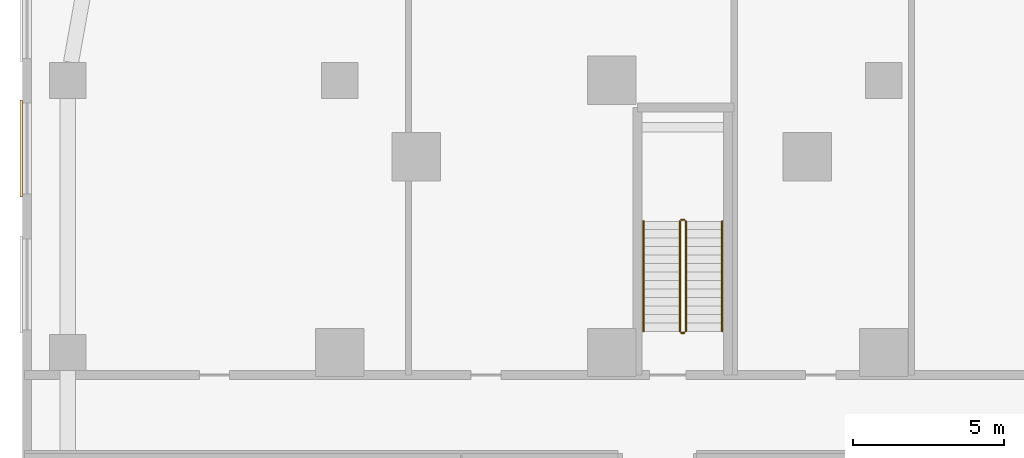
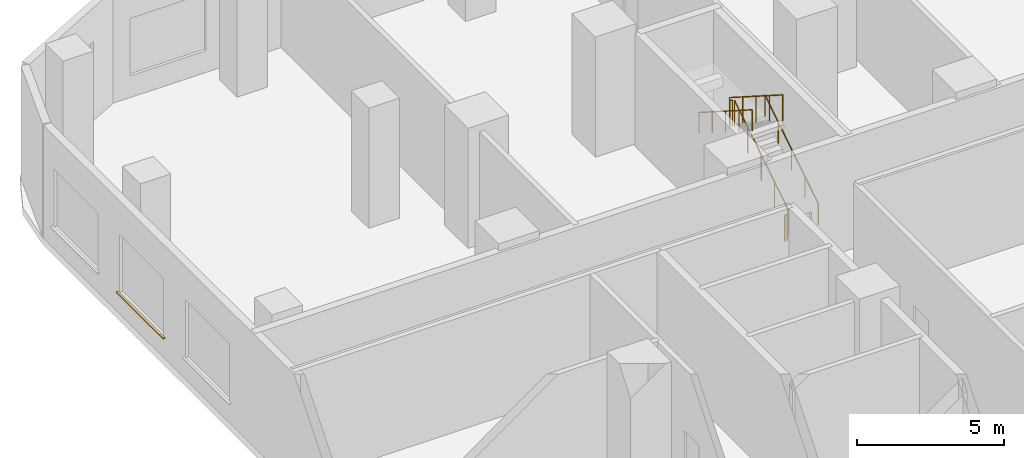
# One storey, part 28 of 35: 6 railings, 1 covering.
"""IFC4 building model written with IfcOpenShell, lengths in metres."""

from ifc_helpers import new_model, si_unit, direction, frame, origin, origin_2d, place, context, subcontext, project, spatial, rectangle, circle, extrude, material, layer, layer_set, type_object, element, save


model = new_model("IFC4")

# Units and contexts
model_context = context("Model", 3, precision=1e-05, world=origin(), true_north=direction((0.0, 1.0)))
body_context = subcontext(model_context, "Body", "Model", "MODEL_VIEW")
ifc_project = project(units=[si_unit("LENGTHUNIT", "METRE"), si_unit("AREAUNIT", "SQUARE_METRE"), si_unit("VOLUMEUNIT", "CUBIC_METRE"), si_unit("PLANEANGLEUNIT", "RADIAN"), si_unit("MASSUNIT", "GRAM", prefix="KILO")], contexts=[model_context])

# Site, building, storey
site_placement = place(None, origin())
site = spatial("IfcSite", under=ifc_project, at=site_placement, CompositionType="ELEMENT")
building_placement = place(site_placement, origin())
building = spatial("IfcBuilding", under=site, at=building_placement, Name="Ogive Portal Towers", CompositionType="ELEMENT")
storey_placement = place(building_placement, frame((0.0, 0.0, 23.5)))
storey = spatial("IfcBuildingStorey", under=building, at=storey_placement, Name="L04", CompositionType="ELEMENT", Elevation=23.5)

# Railings
ifc_material_1 = material(Name="Stainless steel balustrade", Category="steel")
railing_type_1 = type_object("IfcRailingType", Name="INT-GUARD", PredefinedType="GUARDRAIL", material=ifc_material_1)
railing_1_placement = place(storey_placement, frame((42.949951171875, 67.199951171875, 0.178466796875)))
element("IfcRailing", 1, at=railing_1_placement, inside=storey, type_object=railing_type_1, Name="L04 ST-A3 stair guard 1", PredefinedType="GUARDRAIL", context=body_context, shape_type="SweptSolid", body=[
    extrude(circle(Radius=0.02392578125, at=origin_2d()), frame((0.0, 0.0, 1.076171875), z_axis=(0.0, 0.843127859045, 0.537713132908), x_axis=(-1.0, 0.0, 0.0)), (0.0, 0.0, 1.0), 4.3173828125),
    extrude(circle(Radius=0.02099609375, at=origin_2d()), origin(), (0.0, 0.0, 1.0), 1.052001953125),
    extrude(circle(Radius=0.02099609375, at=origin_2d()), frame((0.0, 0.91015625, 0.580322265625)), (0.0, 0.0, 1.0), 1.052001953125),
    extrude(circle(Radius=0.02099609375, at=origin_2d()), frame((0.0, 1.820068359375, 1.16064453125)), (0.0, 0.0, 1.0), 1.052001953125),
    extrude(circle(Radius=0.02099609375, at=origin_2d()), frame((0.0, 2.72998046875, 1.7412109375)), (0.0, 0.0, 1.0), 1.052001953125),
    extrude(circle(Radius=0.02099609375, at=origin_2d()), frame((0.0, 3.64013671875, 2.321533203125)), (0.0, 0.0, 1.0), 1.052001953125),
])
railing_2_placement = place(storey_placement, frame((42.89990234375, 70.889892578125, 2.5)))
element("IfcRailing", 2, at=railing_2_placement, inside=storey, type_object=railing_type_1, Name="L04 ST-A3 stair guard 2", PredefinedType="GUARDRAIL", context=body_context, shape_type="SweptSolid", body=[
    extrude(circle(Radius=0.02392578125, at=origin_2d()), frame((0.0, 0.0, 1.076171875), z_axis=(-1.0, 0.0, 0.0), x_axis=(0.0, -1.0, 0.0)), (0.0, 0.0, 1.0), 0.099853515625),
    extrude(circle(Radius=0.02099609375, at=origin_2d()), origin(), (0.0, 0.0, 1.0), 1.052001953125),
    extrude(circle(Radius=0.02099609375, at=origin_2d()), frame((-0.099853515625, 0.0, 0.0)), (0.0, 0.0, 1.0), 1.052001953125),
])
railing_3_placement = place(storey_placement, frame((42.75, 70.840087890625, 2.678466796875)))
element("IfcRailing", 3, at=railing_3_placement, inside=storey, type_object=railing_type_1, Name="L04 ST-A3 stair guard 3", PredefinedType="GUARDRAIL", context=body_context, shape_type="SweptSolid", body=[
    extrude(circle(Radius=0.02392578125, at=origin_2d()), frame((0.0, 0.0, 1.076171875), z_axis=(0.0, -0.843127859045, 0.537713132908), x_axis=(1.0, 0.0, 0.0)), (0.0, 0.0, 1.0), 4.3173828125),
    extrude(circle(Radius=0.02099609375, at=origin_2d()), origin(), (0.0, 0.0, 1.0), 1.052001953125),
    extrude(circle(Radius=0.02099609375, at=origin_2d()), frame((0.0, -0.91015625, 0.580322265625)), (0.0, 0.0, 1.0), 1.052001953125),
    extrude(circle(Radius=0.02099609375, at=origin_2d()), frame((0.0, -1.820068359375, 1.16064453125)), (0.0, 0.0, 1.0), 1.052001953125),
    extrude(circle(Radius=0.02099609375, at=origin_2d()), frame((0.0, -2.72998046875, 1.7412109375)), (0.0, 0.0, 1.0), 1.052001953125),
    extrude(circle(Radius=0.02099609375, at=origin_2d()), frame((0.0, -3.64013671875, 2.321533203125)), (0.0, 0.0, 1.0), 1.052001953125),
])
railing_4_placement = place(storey_placement, frame((42.89990234375, 67.14990234375, 0.0)))
element("IfcRailing", 4, at=railing_4_placement, inside=storey, type_object=railing_type_1, Name="L04 ST-A3 stair guard 4", PredefinedType="GUARDRAIL", context=body_context, shape_type="SweptSolid", body=[
    extrude(circle(Radius=0.02392578125, at=origin_2d()), frame((0.0, 0.0, 1.076171875), z_axis=(-1.0, 0.0, 0.0), x_axis=(0.0, -1.0, 0.0)), (0.0, 0.0, 1.0), 0.099853515625),
    extrude(circle(Radius=0.02099609375, at=origin_2d()), origin(), (0.0, 0.0, 1.0), 1.052001953125),
    extrude(circle(Radius=0.02099609375, at=origin_2d()), frame((-0.099853515625, 0.0, 0.0)), (0.0, 0.0, 1.0), 1.052001953125),
])
ifc_material_2 = material(Name="Stainless steel handrail", Category="steel")
railing_type_2 = type_object("IfcRailingType", Name="INT-HANDRAIL", PredefinedType="HANDRAIL", material=ifc_material_2)
railing_5_placement = place(storey_placement, frame((44.14990234375, 67.199951171875, 0.178466796875)))
element("IfcRailing", 5, at=railing_5_placement, inside=storey, type_object=railing_type_2, Name="L04 ST-A3 stair handrail 1", PredefinedType="HANDRAIL", context=body_context, shape_type="SweptSolid", body=[
    extrude(circle(Radius=0.02392578125, at=origin_2d()), frame((0.0, 0.0, 0.8759765625), z_axis=(0.0, 0.843127859045, 0.537713132908), x_axis=(-1.0, 0.0, 0.0)), (0.0, 0.0, 1.0), 4.3173828125),
    extrude(circle(Radius=0.02099609375, at=origin_2d()), origin(), (0.0, 0.0, 1.0), 0.851806640625),
    extrude(circle(Radius=0.02099609375, at=origin_2d()), frame((0.0, 0.91015625, 0.580322265625)), (0.0, 0.0, 1.0), 0.851806640625),
    extrude(circle(Radius=0.02099609375, at=origin_2d()), frame((0.0, 1.820068359375, 1.16064453125)), (0.0, 0.0, 1.0), 0.851806640625),
    extrude(circle(Radius=0.02099609375, at=origin_2d()), frame((0.0, 2.72998046875, 1.7412109375)), (0.0, 0.0, 1.0), 0.851806640625),
    extrude(circle(Radius=0.02099609375, at=origin_2d()), frame((0.0, 3.64013671875, 2.321533203125)), (0.0, 0.0, 1.0), 0.851806640625),
])
railing_6_placement = place(storey_placement, frame((41.550048828125, 70.840087890625, 2.678466796875)))
element("IfcRailing", 6, at=railing_6_placement, inside=storey, type_object=railing_type_2, Name="L04 ST-A3 stair handrail 2", PredefinedType="HANDRAIL", context=body_context, shape_type="SweptSolid", body=[
    extrude(circle(Radius=0.02392578125, at=origin_2d()), frame((0.0, 0.0, 0.8759765625), z_axis=(0.0, -0.843127859045, 0.537713132908), x_axis=(1.0, 0.0, 0.0)), (0.0, 0.0, 1.0), 4.3173828125),
    extrude(circle(Radius=0.02099609375, at=origin_2d()), origin(), (0.0, 0.0, 1.0), 0.851806640625),
    extrude(circle(Radius=0.02099609375, at=origin_2d()), frame((0.0, -0.91015625, 0.580322265625)), (0.0, 0.0, 1.0), 0.851806640625),
    extrude(circle(Radius=0.02099609375, at=origin_2d()), frame((0.0, -1.820068359375, 1.16064453125)), (0.0, 0.0, 1.0), 0.851806640625),
    extrude(circle(Radius=0.02099609375, at=origin_2d()), frame((0.0, -2.72998046875, 1.7412109375)), (0.0, 0.0, 1.0), 0.851806640625),
    extrude(circle(Radius=0.02099609375, at=origin_2d()), frame((0.0, -3.64013671875, 2.321533203125)), (0.0, 0.0, 1.0), 0.851806640625),
])

# Covering
ifc_material_3 = material(Name="Limestone cladding on lightweight block wall", Category="masonry")
ifc_layer = layer(ifc_material_3, 0.080078125)
ifc_layer_set = layer_set([ifc_layer], Name="STONE SILL 80")
covering_type = type_object("IfcCoveringType", Name="STONE SILL 80", PredefinedType="CLADDING", material=ifc_layer_set)
covering_placement = place(storey_placement, frame((20.9599609375, 73.25, 0.840087890625), z_axis=(0.0, 0.0, 1.0), x_axis=(0.0, -1.0, 0.0)))
element("IfcCovering", 7, at=covering_placement, inside=storey, type_object=covering_type, Name="Stone sill", PredefinedType="CLADDING", context=body_context, shape_type="SweptSolid", body=[
    extrude(rectangle(XDim=3.199951171875, YDim=0.080078125, at=origin_2d()), origin(), (0.0, 0.0, 1.0), 0.06005859375),
])

save(model, "model.ifc")
